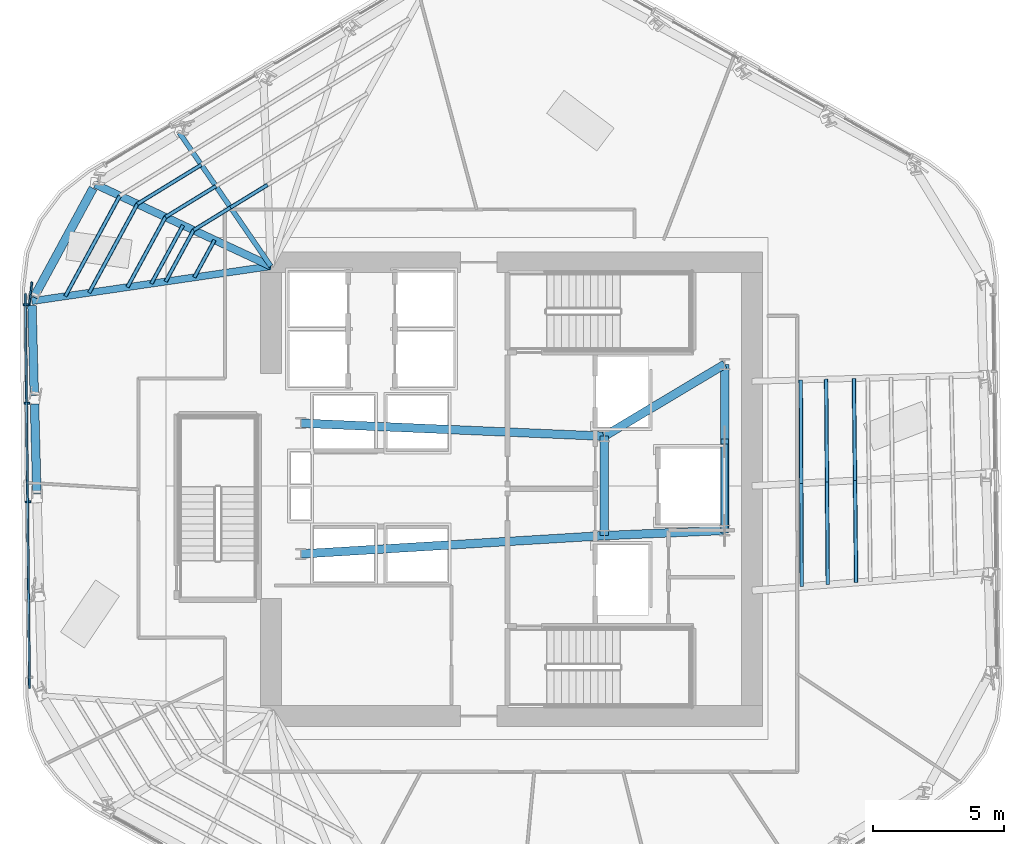
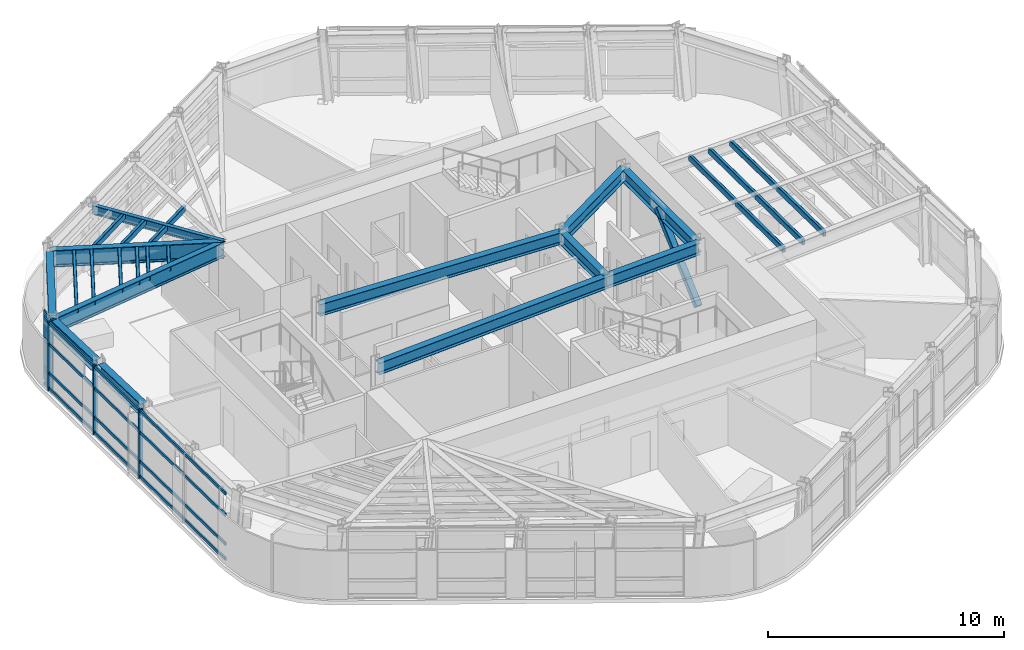
# One storey, part 4 of 16: 25 members, 12 beams, 1 element without a shape of its own.
"""IFC4 building model written with IfcOpenShell, lengths in metres."""

from ifc_helpers import new_model, si_unit, direction, frame, origin, origin_2d, place, context, subcontext, project, spatial, rectangle, hollow_rectangle, i_section, extrude, material, layer, layer_set, material_profile, profile_set, type_object, element, aggregate, save


model = new_model("IFC4")

# Units and contexts
model_context = context("Model", 3, precision=1e-05, world=origin(), true_north=direction((0.0, 1.0)))
body_context = subcontext(model_context, "Body", "Model", "MODEL_VIEW")
ifc_project = project(units=[si_unit("LENGTHUNIT", "METRE"), si_unit("AREAUNIT", "SQUARE_METRE"), si_unit("VOLUMEUNIT", "CUBIC_METRE"), si_unit("PLANEANGLEUNIT", "RADIAN"), si_unit("MASSUNIT", "GRAM", prefix="KILO")], contexts=[model_context])

# Site, building, storey
site_placement = place(None, origin())
site = spatial("IfcSite", under=ifc_project, at=site_placement, CompositionType="ELEMENT")
building_placement = place(site_placement, origin())
building = spatial("IfcBuilding", under=site, at=building_placement, Name="Valkerne Bourse Tower", CompositionType="ELEMENT")
storey_placement = place(building_placement, frame((0.0, 0.0, 155.199951171875)))
storey = spatial("IfcBuildingStorey", under=building, at=storey_placement, Name="L39", CompositionType="ELEMENT", Elevation=155.199951171875)

# Beams
ifc_material_1 = material(Name="Steel ASTM A992", Category="steel")
ifc_material_profile_1 = material_profile(ifc_material_1, i_section(OverallWidth=0.1904296875, OverallDepth=0.457275390625, WebThickness=0.009033203125, FlangeThickness=0.014404296875, FilletRadius=0.01513671875, at=origin_2d()), Name="W18X50")
ifc_profile_set_1 = profile_set([ifc_material_profile_1], Name="Steel ASTM A992")
beam_type_1 = type_object("IfcBeamType", Name="BM-W18X50", PredefinedType="JOIST", material=ifc_profile_set_1)
beam_1_placement = place(storey_placement, frame((34.10498046875, 40.499267578125, 3.3515625), z_axis=(0.565353363203, -0.824848819309, 0.0), x_axis=(0.824848819309, 0.565353363203, 0.0)))
element("IfcBeam", 1, at=beam_1_placement, inside=storey, type_object=beam_type_1, Name="L39 Radial Composite Floor Beam 08", PredefinedType="JOIST", context=body_context, shape_type="SweptSolid", body=[
    extrude(i_section(OverallWidth=0.1904296875, OverallDepth=0.457275390625, WebThickness=0.009033203125, FlangeThickness=0.014404296875, FilletRadius=0.01513671875, at=origin_2d()), origin(), (0.0, 0.0, 1.0), 6.18212890625),
])
ifc_material_profile_2 = material_profile(ifc_material_1, i_section(OverallWidth=0.3251953125, OverallDepth=0.612060546875, WebThickness=0.0126953125, FlangeThickness=0.01904296875, FilletRadius=0.020263671875, at=origin_2d()), Name="W24X104")
ifc_profile_set_2 = profile_set([ifc_material_profile_2], Name="Steel ASTM A992")
beam_type_2 = type_object("IfcBeamType", Name="BM-W24X104", PredefinedType="BEAM", material=ifc_profile_set_2)
beam_2_placement = place(storey_placement, frame((50.35009765625, 25.10009765625, 3.274169921875), z_axis=(0.0, 1.0, 0.0), x_axis=(-1.0, 0.0, 0.0)))
element("IfcBeam", 2, at=beam_2_placement, inside=storey, type_object=beam_type_2, Name="L39 Core Frame Girder CG-CE", PredefinedType="BEAM", context=body_context, shape_type="SweptSolid", body=[
    extrude(i_section(OverallWidth=0.3251953125, OverallDepth=0.612060546875, WebThickness=0.0126953125, FlangeThickness=0.01904296875, FilletRadius=0.020263671875, at=origin_2d()), origin(), (0.0, 0.0, 1.0), 3.7998046875),
])
beam_3_placement = place(storey_placement, frame((50.35009765625, 25.10009765625, 3.274169921875), z_axis=(0.999056558506, 0.043428019819, 0.0), x_axis=(-0.043428019819, 0.999056558506, 0.0)))
element("IfcBeam", 3, at=beam_3_placement, inside=storey, type_object=beam_type_2, Name="L39 Core Frame Girder CG-SE", PredefinedType="BEAM", context=body_context, shape_type="SweptSolid", body=[
    extrude(i_section(OverallWidth=0.3251953125, OverallDepth=0.612060546875, WebThickness=0.0126953125, FlangeThickness=0.01904296875, FilletRadius=0.020263671875, at=origin_2d()), origin(), (0.0, 0.0, 1.0), 4.604248046875),
])
beam_4_placement = place(storey_placement, frame((50.35009765625, 28.89990234375, 3.274169921875), z_axis=(0.858307823492, 0.513135148019, 0.0), x_axis=(-0.513135148019, 0.858307823492, 0.0)))
element("IfcBeam", 4, at=beam_4_placement, inside=storey, type_object=beam_type_2, Name="L39 Core Frame Girder CG-NE", PredefinedType="BEAM", context=body_context, shape_type="SweptSolid", body=[
    extrude(i_section(OverallWidth=0.3251953125, OverallDepth=0.612060546875, WebThickness=0.0126953125, FlangeThickness=0.01904296875, FilletRadius=0.020263671875, at=origin_2d()), origin(), (0.0, 0.0, 1.0), 5.359130859375),
])
beam_5_placement = place(storey_placement, frame((54.949951171875, 25.300048828125, 3.274169921875), z_axis=(0.0, 1.0, 0.0), x_axis=(-1.0, 0.0, 0.0)))
element("IfcBeam", 5, at=beam_5_placement, inside=storey, type_object=beam_type_2, Name="L39 Core Frame Girder CG-EE", PredefinedType="BEAM", context=body_context, shape_type="SweptSolid", body=[
    extrude(i_section(OverallWidth=0.3251953125, OverallDepth=0.612060546875, WebThickness=0.0126953125, FlangeThickness=0.01904296875, FilletRadius=0.020263671875, at=origin_2d()), origin(), (0.0, 0.0, 1.0), 6.349853515625),
])
beam_6_placement = place(storey_placement, frame((38.75, 24.39990234375, 3.274169921875), z_axis=(0.998183228389, 0.060251494276, 0.0), x_axis=(-0.060251494276, 0.998183228389, 0.0)))
element("IfcBeam", 6, at=beam_6_placement, inside=storey, type_object=beam_type_2, Name="L39 Core Frame Girder CG-SW", PredefinedType="BEAM", context=body_context, shape_type="SweptSolid", body=[
    extrude(i_section(OverallWidth=0.3251953125, OverallDepth=0.612060546875, WebThickness=0.0126953125, FlangeThickness=0.01904296875, FilletRadius=0.020263671875, at=origin_2d()), origin(), (0.0, 0.0, 1.0), 11.62109375),
])
beam_7_placement = place(storey_placement, frame((38.75, 29.39990234375, 3.274169921875), z_axis=(0.999072354402, -0.043063101019, 0.0), x_axis=(0.043063101019, 0.999072354402, 0.0)))
element("IfcBeam", 7, at=beam_7_placement, inside=storey, type_object=beam_type_2, Name="L39 Core Frame Girder CG-NW", PredefinedType="BEAM", context=body_context, shape_type="SweptSolid", body=[
    extrude(i_section(OverallWidth=0.3251953125, OverallDepth=0.612060546875, WebThickness=0.0126953125, FlangeThickness=0.01904296875, FilletRadius=0.020263671875, at=origin_2d()), origin(), (0.0, 0.0, 1.0), 11.61083984375),
])
ifc_material_profile_3 = material_profile(ifc_material_1, i_section(OverallWidth=0.32763671875, OverallDepth=0.62744140625, WebThickness=0.0166015625, FlangeThickness=0.027587890625, FilletRadius=0.020263671875, at=origin_2d()), Name="W24X146")
ifc_profile_set_3 = profile_set([ifc_material_profile_3], Name="Steel ASTM A992")
beam_type_3 = type_object("IfcBeamType", Name="BM-W24X146", PredefinedType="SPANDREL", material=ifc_profile_set_3)
beam_8_placement = place(storey_placement, frame((30.80859375, 38.379638671875, 3.266357421875), z_axis=(-0.477180514151, -0.878805300914, 0.0), x_axis=(0.878805300914, -0.477180514151, 0.0)))
element("IfcBeam", 8, at=beam_8_placement, inside=storey, type_object=beam_type_3, Name="L39 Hexagonal Spandrel Ring Beam 09", PredefinedType="SPANDREL", context=body_context, shape_type="SweptSolid", body=[
    extrude(i_section(OverallWidth=0.32763671875, OverallDepth=0.62744140625, WebThickness=0.0166015625, FlangeThickness=0.027587890625, FilletRadius=0.020263671875, at=origin_2d()), origin(), (0.0, 0.0, 1.0), 4.740234375),
])
for number, where, z_axis, x_axis, name in (
    (9, (28.469970703125, 33.89453125, 3.266357421875), (0.026185053561, -0.999657112699, 0.0), (0.999657112699, 0.026185053561, 0.0), "L39 Hexagonal Spandrel Ring Beam 10"),
    (10, (28.568603515625, 30.125, 3.266357421875), (0.026256159611, -0.999655247614, 0.0), (0.999655247614, 0.026256159611, 0.0), "L39 Hexagonal Spandrel Ring Beam 11"),
):
    element("IfcBeam", number, at=place(storey_placement, frame(where, z_axis=z_axis, x_axis=x_axis)), inside=storey, type_object=beam_type_3, Name=name, PredefinedType="SPANDREL", context=body_context, shape_type="SweptSolid", body=[
        extrude(i_section(OverallWidth=0.32763671875, OverallDepth=0.62744140625, WebThickness=0.0166015625, FlangeThickness=0.027587890625, FilletRadius=0.020263671875, at=origin_2d()), origin(), (0.0, 0.0, 1.0), 3.43115234375),
    ])
ifc_material_profile_4 = material_profile(ifc_material_1, i_section(OverallWidth=0.26806640625, OverallDepth=0.76953125, WebThickness=0.015625, FlangeThickness=0.025390625, FilletRadius=0.025390625, at=origin_2d()), Name="W30X132")
ifc_profile_set_4 = profile_set([ifc_material_profile_4], Name="Steel ASTM A992")
beam_type_4 = type_object("IfcBeamType", Name="BM-W30X132", PredefinedType="BEAM", material=ifc_profile_set_4)
beam_9_placement = place(storey_placement, frame((28.465576171875, 34.064453125, 3.1953125), z_axis=(0.989481385698, 0.144660248023, 0.0), x_axis=(-0.144660248023, 0.989481385698, 0.0)))
element("IfcBeam", 11, at=beam_9_placement, inside=storey, type_object=beam_type_4, Name="L39 Radial Composite Floor Beam 10", PredefinedType="BEAM", context=body_context, shape_type="SweptSolid", body=[
    extrude(i_section(OverallWidth=0.26806640625, OverallDepth=0.76953125, WebThickness=0.015625, FlangeThickness=0.025390625, FilletRadius=0.025390625, at=origin_2d()), origin(), (0.0, 0.0, 1.0), 9.231689453125),
])
ifc_material_profile_5 = material_profile(ifc_material_1, i_section(OverallWidth=0.2919921875, OverallDepth=0.8583984375, WebThickness=0.01708984375, FlangeThickness=0.031005859375, FilletRadius=0.025390625, at=origin_2d()), Name="W33X169")
ifc_profile_set_5 = profile_set([ifc_material_profile_5], Name="Steel ASTM A992")
beam_type_5 = type_object("IfcBeamType", Name="BM-W33X169", PredefinedType="BEAM", material=ifc_profile_set_5)
beam_10_placement = place(storey_placement, frame((30.8896484375, 38.529052734375, 3.15087890625), z_axis=(0.906306931914, -0.422620095552, 0.0), x_axis=(0.422620095552, 0.906306931914, 0.0)))
element("IfcBeam", 12, at=beam_10_placement, inside=storey, type_object=beam_type_5, Name="L39 Radial Composite Floor Beam 09", PredefinedType="BEAM", context=body_context, shape_type="SweptSolid", body=[
    extrude(i_section(OverallWidth=0.2919921875, OverallDepth=0.8583984375, WebThickness=0.01708984375, FlangeThickness=0.031005859375, FilletRadius=0.025390625, at=origin_2d()), origin(), (0.0, 0.0, 1.0), 7.404052734375),
])

# Curtain wall, members
ifc_material_2 = material(Name="Aluminium AA 6063-T6", Category="aluminium")
ifc_layer = layer(ifc_material_2, 0.235107421875)
ifc_layer_set = layer_set([ifc_layer], Name="Aluminium AA 6063-T6")
curtain_wall_type = type_object("IfcCurtainWallType", Name="CW-03", PredefinedType="NOTDEFINED", material=ifc_layer_set)
curtain_wall_placement = place(storey_placement, origin())
curtain_wall = element("IfcCurtainWall", 13, at=curtain_wall_placement, inside=storey, type_object=curtain_wall_type, Name="L39 Hexagonal Stick Curtain Wall Face 3", PredefinedType="NOTDEFINED")
ifc_material_profile_6 = material_profile(ifc_material_2, rectangle(XDim=0.074951171875, YDim=0.199951171875, at=origin_2d()), Name="CWM-75X200")
ifc_profile_set_6 = profile_set([ifc_material_profile_6], Name="Aluminium AA 6063-T6")
member_type_1 = type_object("IfcMemberType", Name="CW-MUL-220X75", PredefinedType="MULLION", material=ifc_profile_set_6)
member_1_placement = place(storey_placement, frame((28.2431640625, 33.927978515625, 0.0), z_axis=(0.0, 0.0, 1.0), x_axis=(0.010474656038, -0.999945139286, 0.0)))
member_1 = element("IfcMember", 14, at=member_1_placement, type_object=member_type_1, Name="CW-L39-F3 Jamb Mullion 00A", PredefinedType="MULLION", context=body_context, shape_type="SweptSolid", body=[
    extrude(rectangle(XDim=0.074951171875, YDim=0.199951171875, at=origin_2d()), origin(), (0.0, 0.0, 1.0), 3.580078125),
])
member_2_placement = place(storey_placement, frame((28.28271484375, 30.1572265625, 0.0), z_axis=(0.0, 0.0, 1.0), x_axis=(0.010474656038, -0.999945139286, 0.0)))
member_2 = element("IfcMember", 15, at=member_2_placement, type_object=member_type_1, Name="CW-L39-F3 Jamb Mullion 01A", PredefinedType="MULLION", context=body_context, shape_type="SweptSolid", body=[
    extrude(rectangle(XDim=0.074951171875, YDim=0.199951171875, at=origin_2d()), origin(), (0.0, 0.0, 1.0), 3.580078125),
])
member_3_placement = place(storey_placement, frame((28.322265625, 26.386474609375, 0.0), z_axis=(0.0, 0.0, 1.0), x_axis=(0.010474656038, -0.999945139286, 0.0)))
member_3 = element("IfcMember", 16, at=member_3_placement, type_object=member_type_1, Name="CW-L39-F3 Jamb Mullion 02A", PredefinedType="MULLION", context=body_context, shape_type="SweptSolid", body=[
    extrude(rectangle(XDim=0.074951171875, YDim=0.199951171875, at=origin_2d()), origin(), (0.0, 0.0, 1.0), 3.580078125),
])
ifc_material_profile_7 = material_profile(ifc_material_2, rectangle(XDim=0.074951171875, YDim=0.14990234375, at=origin_2d()), Name="CWT-75X150")
ifc_profile_set_7 = profile_set([ifc_material_profile_7], Name="Aluminium AA 6063-T6")
member_type_2 = type_object("IfcMemberType", Name="CW-TRN-180X65", PredefinedType="USERDEFINED", material=ifc_profile_set_7)
member_4_placement = place(storey_placement, frame((28.21875, 34.347900390625, 0.1201171875), z_axis=(0.010471901131, -0.99994516814, 0.0), x_axis=(0.99994516814, 0.010471901131, 0.0)))
member_4 = element("IfcMember", 17, at=member_4_placement, type_object=member_type_2, Name="CW-L39-F3 Continuous Face Transom 1", ObjectType="TRANSOM", PredefinedType="USERDEFINED", context=body_context, shape_type="SweptSolid", body=[
    extrude(rectangle(XDim=0.074951171875, YDim=0.14990234375, at=origin_2d()), origin(), (0.0, 0.0, 1.0), 15.083984375),
])
member_5_placement = place(storey_placement, frame((28.21875, 34.347900390625, 0.900146484375), z_axis=(0.010471901131, -0.99994516814, 0.0), x_axis=(0.99994516814, 0.010471901131, 0.0)))
member_5 = element("IfcMember", 18, at=member_5_placement, type_object=member_type_2, Name="CW-L39-F3 Continuous Face Transom 2", ObjectType="TRANSOM", PredefinedType="USERDEFINED", context=body_context, shape_type="SweptSolid", body=[
    extrude(rectangle(XDim=0.074951171875, YDim=0.14990234375, at=origin_2d()), origin(), (0.0, 0.0, 1.0), 15.083984375),
])
member_6_placement = place(storey_placement, frame((28.21875, 34.347900390625, 2.400146484375), z_axis=(0.010471901131, -0.99994516814, 0.0), x_axis=(0.99994516814, 0.010471901131, 0.0)))
member_6 = element("IfcMember", 19, at=member_6_placement, type_object=member_type_2, Name="CW-L39-F3 Continuous Face Transom 3", ObjectType="TRANSOM", PredefinedType="USERDEFINED", context=body_context, shape_type="SweptSolid", body=[
    extrude(rectangle(XDim=0.074951171875, YDim=0.14990234375, at=origin_2d()), origin(), (0.0, 0.0, 1.0), 15.083984375),
])
member_7_placement = place(storey_placement, frame((28.21875, 34.347900390625, 3.5), z_axis=(0.010471901131, -0.99994516814, 0.0), x_axis=(0.99994516814, 0.010471901131, 0.0)))
member_7 = element("IfcMember", 20, at=member_7_placement, type_object=member_type_2, Name="CW-L39-F3 Continuous Face Transom 4", ObjectType="TRANSOM", PredefinedType="USERDEFINED", context=body_context, shape_type="SweptSolid", body=[
    extrude(rectangle(XDim=0.074951171875, YDim=0.14990234375, at=origin_2d()), origin(), (0.0, 0.0, 1.0), 15.083984375),
])
aggregate(curtain_wall, [member_4, member_5, member_6, member_7, member_1, member_2, member_3])

# Members
ifc_material_3 = material(Name="Bronze Anodised Aluminium AA 6063-T6", Category="aluminium")
ifc_material_profile_8 = material_profile(ifc_material_3, rectangle(XDim=0.070068359375, YDim=0.89990234375, at=origin_2d()), Name="FIN-70X900")
ifc_profile_set_8 = profile_set([ifc_material_profile_8], Name="Bronze Anodised Aluminium AA 6063-T6")
member_type_3 = type_object("IfcMemberType", Name="FIN-SOLAR-900", PredefinedType="USERDEFINED", material=ifc_profile_set_8)
member_8_placement = place(storey_placement, frame((28.418701171875, 34.349853515625, 0.004150390625), z_axis=(0.0, 0.0, 1.0), x_axis=(-0.993394055661, 0.114752996375, 0.0)))
element("IfcMember", 21, at=member_8_placement, inside=storey, type_object=member_type_3, Name="L39 Bronze Anodised Solar Fin F3-00", ObjectType="SOLAR_FIN", PredefinedType="USERDEFINED", context=body_context, shape_type="SweptSolid", body=[
    extrude(rectangle(XDim=0.070068359375, YDim=0.89990234375, at=origin_2d()), origin(), (0.0, 0.0, 1.0), 3.57177734375),
])
ifc_material_4 = material(Name="Steel ASTM A500 Grade C", Category="steel")
ifc_material_profile_9 = material_profile(ifc_material_4, hollow_rectangle(XDim=0.14990234375, YDim=0.300048828125, WallThickness=0.012451171875, OuterFilletRadius=0.02490234375, at=origin_2d()), Name="HSS300X150X12.5")
ifc_profile_set_9 = profile_set([ifc_material_profile_9], Name="Steel ASTM A500 Grade C")
member_type_4 = type_object("IfcMemberType", Name="MBR-HSS300X150X12.5", PredefinedType="PURLIN", material=ifc_profile_set_9)
member_9_placement = place(storey_placement, frame((35.45263671875, 36.4013671875, 3.420166015625), z_axis=(-0.477115061714, -0.87884083763, 0.0), x_axis=(0.87884083763, -0.477115061714, 0.0)))
element("IfcMember", 22, at=member_9_placement, inside=storey, type_object=member_type_4, Name="L39 Secondary Composite Floor Purlin I-09", PredefinedType="PURLIN", context=body_context, shape_type="SweptSolid", body=[
    extrude(hollow_rectangle(XDim=0.14990234375, YDim=0.300048828125, WallThickness=0.012451171875, OuterFilletRadius=0.02490234375, at=origin_2d()), origin(), (0.0, 0.0, 1.0), 1.625732421875),
])
member_10_placement = place(storey_placement, frame((58.891357421875, 23.2255859375, 3.420166015625), z_axis=(-0.008020633626, 0.999967834201, 0.0), x_axis=(-0.999967834201, -0.008020633626, 0.0)))
element("IfcMember", 23, at=member_10_placement, inside=storey, type_object=member_type_4, Name="L39 Secondary Composite Floor Purlin I-26", PredefinedType="PURLIN", context=body_context, shape_type="SweptSolid", body=[
    extrude(hollow_rectangle(XDim=0.14990234375, YDim=0.300048828125, WallThickness=0.012451171875, OuterFilletRadius=0.02490234375, at=origin_2d()), origin(), (0.0, 0.0, 1.0), 3.9267578125),
])
member_11_placement = place(storey_placement, frame((58.85986328125, 27.152099609375, 3.420166015625), z_axis=(-0.008021132328, 0.999967830201, 0.0), x_axis=(-0.999967830201, -0.008021132328, 0.0)))
element("IfcMember", 24, at=member_11_placement, inside=storey, type_object=member_type_4, Name="L39 Secondary Composite Floor Purlin I-27", PredefinedType="PURLIN", context=body_context, shape_type="SweptSolid", body=[
    extrude(hollow_rectangle(XDim=0.14990234375, YDim=0.300048828125, WallThickness=0.012451171875, OuterFilletRadius=0.02490234375, at=origin_2d()), origin(), (0.0, 0.0, 1.0), 3.926513671875),
])
member_12_placement = place(storey_placement, frame((37.476806640625, 38.510498046875, 3.420166015625), z_axis=(-0.852677386521, -0.522437818804, 0.0), x_axis=(0.522437818804, -0.852677386521, 0.0)))
element("IfcMember", 25, at=member_12_placement, inside=storey, type_object=member_type_4, Name="L39 Secondary Composite Floor Purlin K-07", PredefinedType="PURLIN", context=body_context, shape_type="SweptSolid", body=[
    extrude(hollow_rectangle(XDim=0.14990234375, YDim=0.300048828125, WallThickness=0.012451171875, OuterFilletRadius=0.02490234375, at=origin_2d()), origin(), (0.0, 0.0, 1.0), 1.658935546875),
])
member_13_placement = place(storey_placement, frame((36.062255859375, 37.643798828125, 3.420166015625), z_axis=(-0.852652000226, -0.522479249837, 0.0), x_axis=(0.522479249837, -0.852652000226, 0.0)))
element("IfcMember", 26, at=member_13_placement, inside=storey, type_object=member_type_4, Name="L39 Secondary Composite Floor Purlin K-08", PredefinedType="PURLIN", context=body_context, shape_type="SweptSolid", body=[
    extrude(hollow_rectangle(XDim=0.14990234375, YDim=0.300048828125, WallThickness=0.012451171875, OuterFilletRadius=0.02490234375, at=origin_2d()), origin(), (0.0, 0.0, 1.0), 1.6591796875),
])
member_14_placement = place(storey_placement, frame((34.6474609375, 36.77685546875, 3.420166015625), z_axis=(-0.477190683024, -0.878799779265, 0.0), x_axis=(0.878799779265, -0.477190683024, 0.0)))
element("IfcMember", 27, at=member_14_placement, inside=storey, type_object=member_type_4, Name="L39 Secondary Composite Floor Purlin K-09", PredefinedType="PURLIN", context=body_context, shape_type="SweptSolid", body=[
    extrude(hollow_rectangle(XDim=0.14990234375, YDim=0.300048828125, WallThickness=0.012451171875, OuterFilletRadius=0.02490234375, at=origin_2d()), origin(), (0.0, 0.0, 1.0), 2.2353515625),
])
for number, where, z_axis, x_axis, name in (
    (28, (59.9755859375, 23.310302734375, 3.420166015625), (-0.011083294407, 0.999938578406, 0.0), (-0.999938578406, -0.011083294407, 0.0), "L39 Secondary Composite Floor Purlin K-26"),
    (29, (59.932373046875, 27.208984375, 3.420166015625), (-0.011145904132, 0.999937882481, 0.0), (-0.999937882481, -0.011145904132, 0.0), "L39 Secondary Composite Floor Purlin K-27"),
):
    element("IfcMember", number, at=place(storey_placement, frame(where, z_axis=z_axis, x_axis=x_axis)), inside=storey, type_object=member_type_4, Name=name, PredefinedType="PURLIN", context=body_context, shape_type="SweptSolid", body=[
        extrude(hollow_rectangle(XDim=0.14990234375, YDim=0.300048828125, WallThickness=0.012451171875, OuterFilletRadius=0.02490234375, at=origin_2d()), origin(), (0.0, 0.0, 1.0), 3.89892578125),
    ])
member_15_placement = place(storey_placement, frame((34.244873046875, 36.964599609375, 3.420166015625), z_axis=(-0.477214881589, -0.878786638946, 0.0), x_axis=(0.878786638946, -0.477214881589, 0.0)))
element("IfcMember", 30, at=member_15_placement, inside=storey, type_object=member_type_4, Name="L39 Secondary Composite Floor Purlin M-09", PredefinedType="PURLIN", context=body_context, shape_type="SweptSolid", body=[
    extrude(hollow_rectangle(XDim=0.14990234375, YDim=0.300048828125, WallThickness=0.012451171875, OuterFilletRadius=0.02490234375, at=origin_2d()), origin(), (0.0, 0.0, 1.0), 2.5400390625),
])
member_16_placement = place(storey_placement, frame((34.943603515625, 39.275390625, 3.420166015625), z_axis=(-0.852660016058, -0.522466168297, 0.0), x_axis=(0.522466168297, -0.852660016058, 0.0)))
element("IfcMember", 31, at=member_16_placement, inside=storey, type_object=member_type_4, Name="L39 Secondary Composite Floor Purlin O-08", PredefinedType="PURLIN", context=body_context, shape_type="SweptSolid", body=[
    extrude(hollow_rectangle(XDim=0.14990234375, YDim=0.300048828125, WallThickness=0.012451171875, OuterFilletRadius=0.02490234375, at=origin_2d()), origin(), (0.0, 0.0, 1.0), 2.865966796875),
])
member_17_placement = place(storey_placement, frame((32.5, 37.778076171875, 3.420166015625), z_axis=(-0.477110004064, -0.878843583365, 0.0), x_axis=(0.878843583365, -0.477110004064, 0.0)))
element("IfcMember", 32, at=member_17_placement, inside=storey, type_object=member_type_4, Name="L39 Secondary Composite Floor Purlin O-09", PredefinedType="PURLIN", context=body_context, shape_type="SweptSolid", body=[
    extrude(hollow_rectangle(XDim=0.14990234375, YDim=0.300048828125, WallThickness=0.012451171875, OuterFilletRadius=0.02490234375, at=origin_2d()), origin(), (0.0, 0.0, 1.0), 3.86083984375),
])
member_18_placement = place(storey_placement, frame((35.5029296875, 38.459716796875, 3.420166015625), z_axis=(-0.852609005947, -0.522549407213, 0.0), x_axis=(0.522549407213, -0.852609005947, 0.0)))
element("IfcMember", 33, at=member_18_placement, inside=storey, type_object=member_type_4, Name="L39 Secondary Composite Floor Purlin Z-08", PredefinedType="PURLIN", context=body_context, shape_type="SweptSolid", body=[
    extrude(hollow_rectangle(XDim=0.14990234375, YDim=0.300048828125, WallThickness=0.012451171875, OuterFilletRadius=0.02490234375, at=origin_2d()), origin(), (0.0, 0.0, 1.0), 2.2626953125),
])
member_19_placement = place(storey_placement, frame((33.57373046875, 37.27734375, 3.420166015625), z_axis=(-0.47713958726, -0.878827522481, 0.0), x_axis=(0.878827522481, -0.47713958726, 0.0)))
element("IfcMember", 34, at=member_19_placement, inside=storey, type_object=member_type_4, Name="L39 Secondary Composite Floor Purlin Z-09", PredefinedType="PURLIN", context=body_context, shape_type="SweptSolid", body=[
    extrude(hollow_rectangle(XDim=0.14990234375, YDim=0.300048828125, WallThickness=0.012451171875, OuterFilletRadius=0.02490234375, at=origin_2d()), origin(), (0.0, 0.0, 1.0), 3.048095703125),
])
member_20_placement = place(storey_placement, frame((57.8974609375, 23.148193359375, 3.420166015625), z_axis=(-0.005251703913, 0.999986209708, 0.0), x_axis=(-0.999986209708, -0.005251703913, 0.0)))
element("IfcMember", 35, at=member_20_placement, inside=storey, type_object=member_type_4, Name="L39 Secondary Composite Floor Purlin S-26", PredefinedType="PURLIN", context=body_context, shape_type="SweptSolid", body=[
    extrude(hollow_rectangle(XDim=0.14990234375, YDim=0.300048828125, WallThickness=0.012451171875, OuterFilletRadius=0.02490234375, at=origin_2d()), origin(), (0.0, 0.0, 1.0), 3.951416015625),
])
member_21_placement = place(storey_placement, frame((57.876708984375, 27.099609375, 3.420166015625), z_axis=(-0.005251055051, 0.999986213115, 0.0), x_axis=(-0.999986213115, -0.005251055051, 0.0)))
element("IfcMember", 36, at=member_21_placement, inside=storey, type_object=member_type_4, Name="L39 Secondary Composite Floor Purlin S-27", PredefinedType="PURLIN", context=body_context, shape_type="SweptSolid", body=[
    extrude(hollow_rectangle(XDim=0.14990234375, YDim=0.300048828125, WallThickness=0.012451171875, OuterFilletRadius=0.02490234375, at=origin_2d()), origin(), (0.0, 0.0, 1.0), 3.951904296875),
])
member_22_placement = place(storey_placement, frame((31.8291015625, 38.0908203125, 3.420166015625), z_axis=(-0.477179418953, -0.878805895592, 0.0), x_axis=(0.878805895592, -0.477179418953, 0.0)))
element("IfcMember", 37, at=member_22_placement, inside=storey, type_object=member_type_4, Name="L39 Secondary Composite Floor Purlin T-09", PredefinedType="PURLIN", context=body_context, shape_type="SweptSolid", body=[
    extrude(hollow_rectangle(XDim=0.14990234375, YDim=0.300048828125, WallThickness=0.012451171875, OuterFilletRadius=0.02490234375, at=origin_2d()), origin(), (0.0, 0.0, 1.0), 4.368896484375),
])
ifc_material_profile_10 = material_profile(ifc_material_4, hollow_rectangle(XDim=0.300048828125, YDim=0.300048828125, WallThickness=0.012451171875, OuterFilletRadius=0.02490234375, at=origin_2d()), Name="HSS300X300X12.5")
ifc_profile_set_10 = profile_set([ifc_material_profile_10], Name="Steel ASTM A500 Grade C")
member_type_5 = type_object("IfcMemberType", Name="MBR-HSS300X300X12.5", PredefinedType="STRUT", material=ifc_profile_set_10)
member_23_placement = place(storey_placement, frame((54.949951171875, 25.300048828125, 0.219970703125), z_axis=(0.0, 0.743915376654, 0.668273830385), x_axis=(-1.0, 0.0, 0.0)))
element("IfcMember", 38, at=member_23_placement, inside=storey, type_object=member_type_5, Name="L39 Core Service Pier Lateral Brace", PredefinedType="STRUT", context=body_context, shape_type="SweptSolid", body=[
    extrude(hollow_rectangle(XDim=0.300048828125, YDim=0.300048828125, WallThickness=0.012451171875, OuterFilletRadius=0.02490234375, at=origin_2d()), origin(), (0.0, 0.0, 1.0), 4.5703125),
])

save(model, "model.ifc")
